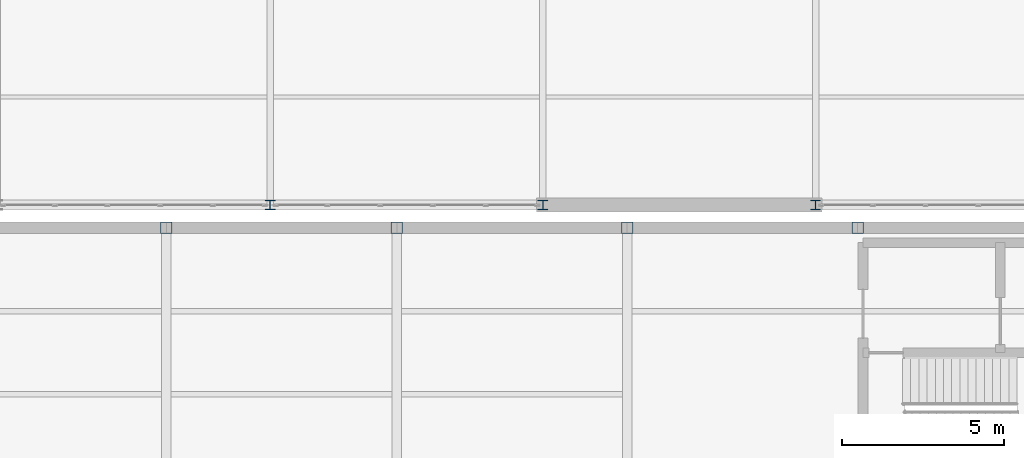
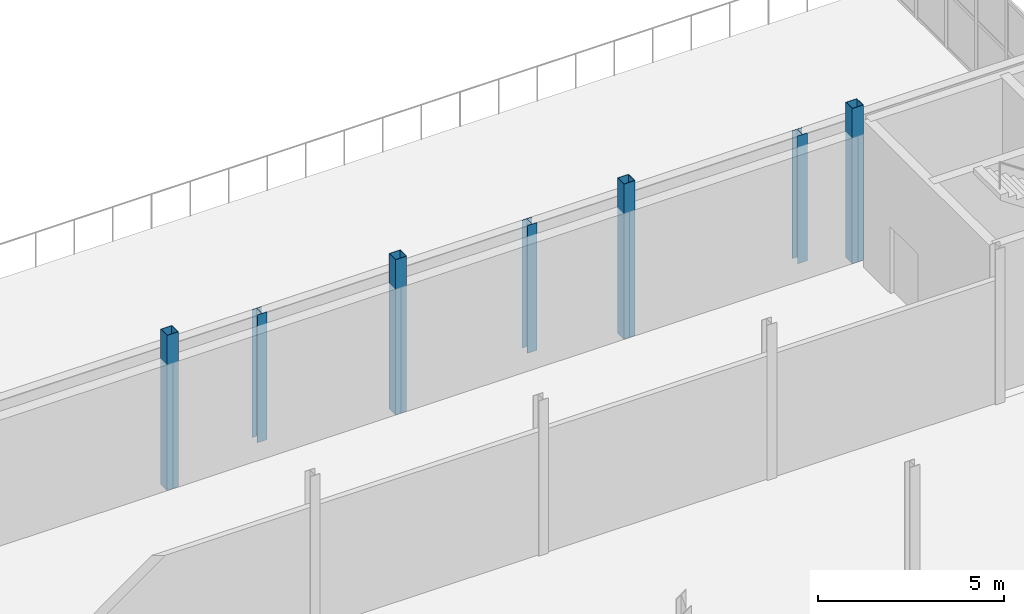
# One storey, part 26 of 218: 7 columns.
"""IFC4 building model written with IfcOpenShell, lengths in metres."""

from ifc_helpers import new_model, si_unit, direction, frame, origin, origin_2d, place, context, subcontext, project, spatial, hollow_rectangle, i_section, extrude, material, material_profile, profile_set, type_object, element, save


model = new_model("IFC4")

# Units and contexts
model_context = context("Model", 3, precision=1e-05, world=origin(), true_north=direction((0.0, 1.0)))
body_context = subcontext(model_context, "Body", "Model", "MODEL_VIEW")
ifc_project = project(units=[si_unit("LENGTHUNIT", "METRE"), si_unit("AREAUNIT", "SQUARE_METRE"), si_unit("VOLUMEUNIT", "CUBIC_METRE"), si_unit("PLANEANGLEUNIT", "RADIAN"), si_unit("MASSUNIT", "GRAM", prefix="KILO")], contexts=[model_context])

# Site, building, storey
site_placement = place(None, origin())
site = spatial("IfcSite", under=ifc_project, at=site_placement, CompositionType="ELEMENT")
building_placement = place(site_placement, origin())
building = spatial("IfcBuilding", under=site, at=building_placement, Name="Kazenagashi Tramway Depot", CompositionType="ELEMENT")
storey_placement = place(building_placement, frame((0.0, 0.0, 6.0)))
storey = spatial("IfcBuildingStorey", under=building, at=storey_placement, Name="L02", CompositionType="ELEMENT", Elevation=6.0)

# Columns
ifc_material_1 = material(Name="Steel SN490B", Category="steel")
ifc_material_profile_1 = material_profile(ifc_material_1, i_section(OverallWidth=0.3, OverallDepth=0.3, WebThickness=0.01, FlangeThickness=0.015, at=origin_2d()), Name="H-300x300x10x15")
ifc_profile_set_1 = profile_set([ifc_material_profile_1], Name="Steel SN490B")
column_type_1 = type_object("IfcColumnType", Name="C-05", PredefinedType="COLUMN", material=ifc_profile_set_1)
for number, where, z_axis, x_axis, name in (
    (1, (170.8, 70.0, 0.0), (0.0, 0.0, 1.0), (1.0, 0.0, 0.0), "Column C-05 COL-0092"),
    (2, (179.2, 70.0, 0.0), (0.0, 0.0, 1.0), (1.0, 0.0, 0.0), "Column C-05 COL-0098"),
    (3, (187.6, 70.0, 0.0), (0.0, 0.0, 1.0), (1.0, 0.0, 0.0), "Column C-05 COL-0104"),
):
    element("IfcColumn", number, at=place(storey_placement, frame(where, z_axis=z_axis, x_axis=x_axis)), inside=storey, type_object=column_type_1, Name=name, PredefinedType="COLUMN", context=body_context, shape_type="SweptSolid", body=[
        extrude(i_section(OverallWidth=0.3, OverallDepth=0.3, WebThickness=0.01, FlangeThickness=0.015, at=origin_2d()), origin(), (0.0, 0.0, 1.0), 4.2),
    ])
ifc_material_2 = material(Name="Steel STKR490", Category="steel")
ifc_material_profile_2 = material_profile(ifc_material_2, hollow_rectangle(XDim=0.35, YDim=0.35, WallThickness=0.012, at=origin_2d()), Name="SHS-350x350x12")
ifc_profile_set_2 = profile_set([ifc_material_profile_2], Name="Steel STKR490")
column_type_2 = type_object("IfcColumnType", Name="C-09", PredefinedType="COLUMN", material=ifc_profile_set_2)
for number, where, z_axis, x_axis, name in (
    (4, (167.6, 69.3, 0.0), (0.0, 0.0, 1.0), (1.0, 0.0, 0.0), "Column C-09 COL-0442"),
    (5, (174.7, 69.3, 0.0), (0.0, 0.0, 1.0), (1.0, 0.0, 0.0), "Column C-09 COL-0467"),
    (6, (181.8, 69.3, 0.0), (0.0, 0.0, 1.0), (1.0, 0.0, 0.0), "Column C-09 COL-0492"),
    (7, (188.9, 69.3, 0.0), (0.0, 0.0, 1.0), (1.0, 0.0, 0.0), "Column C-09 COL-0502"),
):
    element("IfcColumn", number, at=place(storey_placement, frame(where, z_axis=z_axis, x_axis=x_axis)), inside=storey, type_object=column_type_2, Name=name, PredefinedType="COLUMN", context=body_context, shape_type="SweptSolid", body=[
        extrude(hollow_rectangle(XDim=0.35, YDim=0.35, WallThickness=0.012, at=origin_2d()), origin(), (0.0, 0.0, 1.0), 5.1),
    ])

save(model, "model.ifc")
